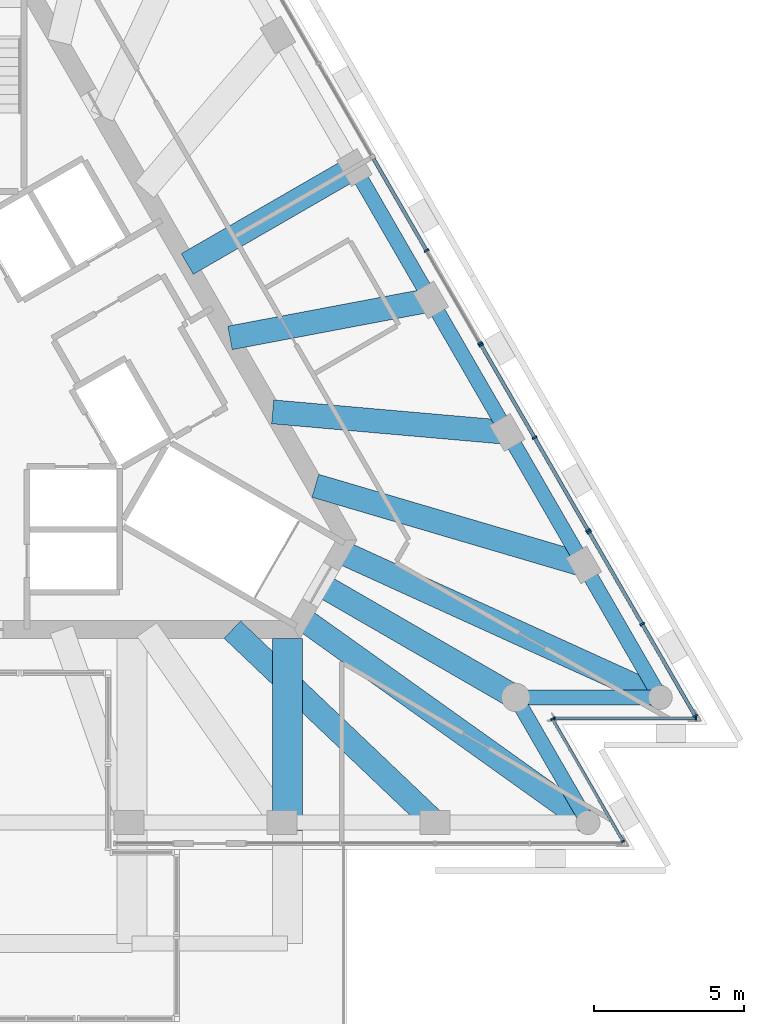
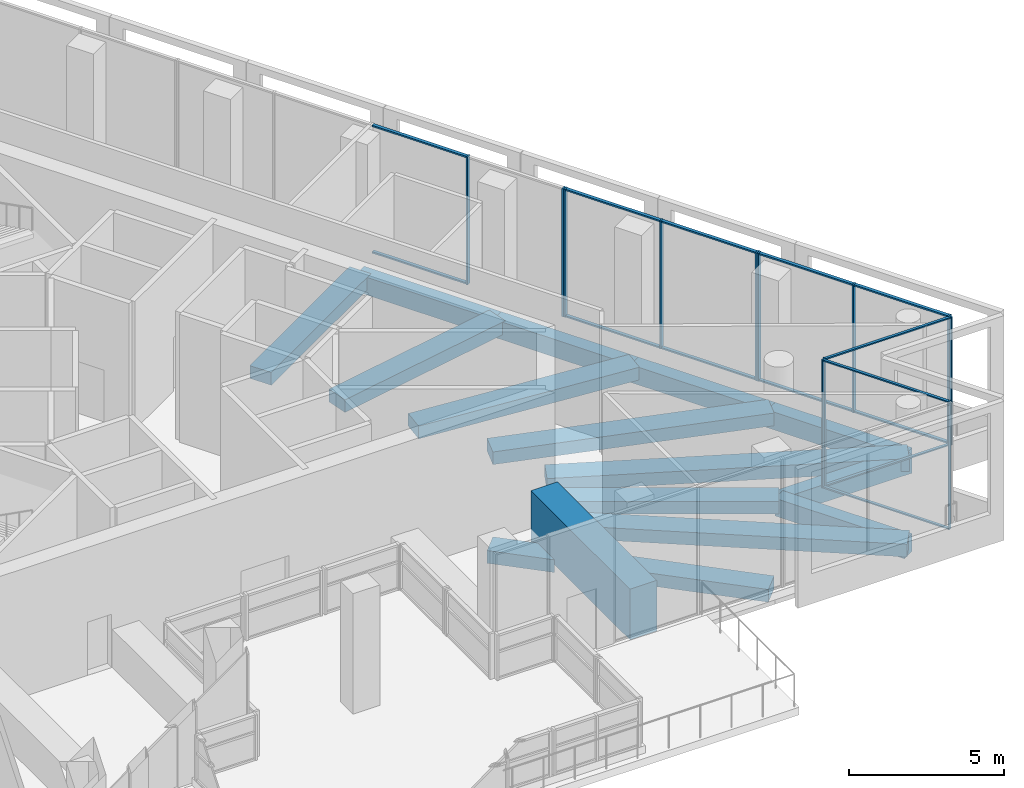
# One storey, part 7 of 17: 26 members, 16 beams, 5 elements without a shape of their own.
"""IFC4 building model written with IfcOpenShell, lengths in metres."""

from ifc_helpers import new_model, si_unit, direction, frame, origin, origin_2d, place, context, subcontext, project, spatial, rectangle, extrude, clip, halfspace, material, layer, layer_set, material_profile, profile_set, type_object, element, aggregate, save


model = new_model("IFC4")

# Units and contexts
model_context = context("Model", 3, precision=1e-05, world=origin(), true_north=direction((0.0, 1.0)))
body_context = subcontext(model_context, "Body", "Model", "MODEL_VIEW")
ifc_project = project(units=[si_unit("LENGTHUNIT", "METRE"), si_unit("AREAUNIT", "SQUARE_METRE"), si_unit("VOLUMEUNIT", "CUBIC_METRE"), si_unit("PLANEANGLEUNIT", "RADIAN"), si_unit("MASSUNIT", "GRAM", prefix="KILO")], contexts=[model_context])

# Site, building, storey
site_placement = place(None, origin())
site = spatial("IfcSite", under=ifc_project, at=site_placement, CompositionType="ELEMENT")
building_placement = place(site_placement, origin())
building = spatial("IfcBuilding", under=site, at=building_placement, Name="Triada Interchange Tower", CompositionType="ELEMENT")
storey_placement = place(building_placement, frame((0.0, 0.0, 322.300048828125)))
storey = spatial("IfcBuildingStorey", under=building, at=storey_placement, Name="L77", CompositionType="ELEMENT", Elevation=322.300048828125)

# Curtain wall, members
ifc_material_1 = material(Name="Aluminium framed glazing", Category="aluminium")
ifc_layer_1 = layer(ifc_material_1, 0.199951171875)
ifc_layer_set_1 = layer_set([ifc_layer_1], Name="Curtain wall Sky lobby glazing")
curtain_wall_type_1 = type_object("IfcCurtainWallType", Name="Curtain wall Sky lobby glazing", PredefinedType="NOTDEFINED", material=ifc_layer_set_1)
curtain_wall_1_placement = place(storey_placement, origin())
curtain_wall_1 = element("IfcCurtainWall", 1, at=curtain_wall_1_placement, inside=storey, type_object=curtain_wall_type_1, Name="Sky lobby glazing CW317 L77", PredefinedType="NOTDEFINED")
ifc_material_2 = material(Name="Aluminium", Category="aluminium")
ifc_material_profile_1 = material_profile(ifc_material_2, rectangle(XDim=0.159912109375, YDim=0.06005859375, at=origin_2d()), Name="Aluminium mullion")
ifc_profile_set_1 = profile_set([ifc_material_profile_1], Name="Aluminium")
member_type_1 = type_object("IfcMemberType", Name="Mullion Sky lobby glazing 160x60", PredefinedType="MULLION", material=ifc_profile_set_1)
member_1_placement = place(storey_placement, frame((24.0400390625, -11.037109375, 0.0), z_axis=(0.0, 0.0, 1.0), x_axis=(-0.866025060103, -0.500000595274, 0.0)))
member_1 = element("IfcMember", 2, at=member_1_placement, type_object=member_type_1, Name="CW317 mullion 1", PredefinedType="MULLION", context=body_context, shape_type="SweptSolid", body=[
    extrude(rectangle(XDim=0.159912109375, YDim=0.06005859375, at=origin_2d()), origin(), (0.0, 0.0, 1.0), 5.050048828125),
])
member_2_placement = place(storey_placement, frame((22.265380859375, -7.96337890625, 0.0), z_axis=(0.0, 0.0, 1.0), x_axis=(-0.866025060103, -0.500000595274, 0.0)))
member_2 = element("IfcMember", 3, at=member_2_placement, type_object=member_type_1, Name="CW317 mullion 2", PredefinedType="MULLION", context=body_context, shape_type="SweptSolid", body=[
    extrude(rectangle(XDim=0.159912109375, YDim=0.06005859375, at=origin_2d()), origin(), (0.0, 0.0, 1.0), 5.050048828125),
])
member_3_placement = place(storey_placement, frame((20.490966796875, -4.889892578125, 0.0), z_axis=(0.0, 0.0, 1.0), x_axis=(-0.866025060103, -0.500000595274, 0.0)))
member_3 = element("IfcMember", 4, at=member_3_placement, type_object=member_type_1, Name="CW317 mullion 3", PredefinedType="MULLION", context=body_context, shape_type="SweptSolid", body=[
    extrude(rectangle(XDim=0.159912109375, YDim=0.06005859375, at=origin_2d()), origin(), (0.0, 0.0, 1.0), 5.050048828125),
])

curtain_wall_2_placement = place(storey_placement, origin())
curtain_wall_2 = element("IfcCurtainWall", 5, at=curtain_wall_2_placement, inside=storey, type_object=curtain_wall_type_1, Name="Sky lobby glazing CW318 L77", PredefinedType="NOTDEFINED")
member_4_placement = place(storey_placement, frame((20.4560546875, -4.830078125, 0.0), z_axis=(0.0, 0.0, 1.0), x_axis=(-0.866067851015, -0.499926472032, 0.0)))
member_4 = element("IfcMember", 6, at=member_4_placement, type_object=member_type_1, Name="CW318 mullion 1", PredefinedType="MULLION", context=body_context, shape_type="SweptSolid", body=[
    extrude(rectangle(XDim=0.159912109375, YDim=0.06005859375, at=origin_2d()), origin(), (0.0, 0.0, 1.0), 5.050048828125),
])
member_5_placement = place(storey_placement, frame((18.66796875, -1.732421875, 0.0), z_axis=(0.0, 0.0, 1.0), x_axis=(-0.866067851015, -0.499926472032, 0.0)))
member_5 = element("IfcMember", 7, at=member_5_placement, type_object=member_type_1, Name="CW318 mullion 2", PredefinedType="MULLION", context=body_context, shape_type="SweptSolid", body=[
    extrude(rectangle(XDim=0.159912109375, YDim=0.06005859375, at=origin_2d()), origin(), (0.0, 0.0, 1.0), 5.050048828125),
])
member_6_placement = place(storey_placement, frame((16.8798828125, 1.364990234375, 0.0), z_axis=(0.0, 0.0, 1.0), x_axis=(-0.866067851015, -0.499926472032, 0.0)))
member_6 = element("IfcMember", 8, at=member_6_placement, type_object=member_type_1, Name="CW318 mullion 3", PredefinedType="MULLION", context=body_context, shape_type="SweptSolid", body=[
    extrude(rectangle(XDim=0.159912109375, YDim=0.06005859375, at=origin_2d()), origin(), (0.0, 0.0, 1.0), 5.050048828125),
])

curtain_wall_3_placement = place(storey_placement, origin())
curtain_wall_3 = element("IfcCurtainWall", 9, at=curtain_wall_3_placement, inside=storey, type_object=curtain_wall_type_1, Name="Sky lobby glazing CW319 L77", PredefinedType="NOTDEFINED")
member_7_placement = place(storey_placement, frame((16.844970703125, 1.425048828125, 0.0), z_axis=(0.0, 0.0, 1.0), x_axis=(-0.866007823062, -0.500030449467, 0.0)))
member_7 = element("IfcMember", 10, at=member_7_placement, type_object=member_type_1, Name="CW319 mullion 1", PredefinedType="MULLION", context=body_context, shape_type="SweptSolid", body=[
    extrude(rectangle(XDim=0.159912109375, YDim=0.06005859375, at=origin_2d()), origin(), (0.0, 0.0, 1.0), 5.050048828125),
])
member_8_placement = place(storey_placement, frame((15.056396484375, 4.5224609375, 0.0), z_axis=(0.0, 0.0, 1.0), x_axis=(-0.866007823062, -0.500030449467, 0.0)))
member_8 = element("IfcMember", 11, at=member_8_placement, type_object=member_type_1, Name="CW319 mullion 2", PredefinedType="MULLION", context=body_context, shape_type="SweptSolid", body=[
    extrude(rectangle(XDim=0.159912109375, YDim=0.06005859375, at=origin_2d()), origin(), (0.0, 0.0, 1.0), 5.050048828125),
])

ifc_layer_2 = layer(ifc_material_1, 0.199951171875)
ifc_layer_set_2 = layer_set([ifc_layer_2], Name="Curtain wall Winter garden glazing")
curtain_wall_type_2 = type_object("IfcCurtainWallType", Name="Curtain wall Winter garden glazing", PredefinedType="NOTDEFINED", material=ifc_layer_set_2)
curtain_wall_4_placement = place(storey_placement, origin())
curtain_wall_4 = element("IfcCurtainWall", 12, at=curtain_wall_4_placement, inside=storey, type_object=curtain_wall_type_2, Name="Winter garden glazing CW315 L77", PredefinedType="NOTDEFINED")
ifc_material_profile_2 = material_profile(ifc_material_2, rectangle(XDim=0.1201171875, YDim=0.050048828125, at=origin_2d()), Name="Aluminium mullion")
ifc_profile_set_2 = profile_set([ifc_material_profile_2], Name="Aluminium")
member_type_2 = type_object("IfcMemberType", Name="Mullion Winter garden glazing 120x50", PredefinedType="MULLION", material=ifc_profile_set_2)
member_9_placement = place(storey_placement, frame((21.62548828125, -15.226318359375, 0.0), z_axis=(0.0, 0.0, 1.0), x_axis=(-0.866042521562, -0.499970349967, 0.0)))
member_9 = element("IfcMember", 13, at=member_9_placement, type_object=member_type_2, Name="CW315 mullion 1", PredefinedType="MULLION", context=body_context, shape_type="SweptSolid", body=[
    extrude(rectangle(XDim=0.1201171875, YDim=0.050048828125, at=origin_2d()), origin(), (0.0, 0.0, 1.0), 5.050048828125),
])
member_10_placement = place(storey_placement, frame((19.264404296875, -11.13671875, 0.0), z_axis=(0.0, 0.0, 1.0), x_axis=(-0.866042521562, -0.499970349967, 0.0)))
member_10 = element("IfcMember", 14, at=member_10_placement, type_object=member_type_2, Name="CW315 mullion 2", PredefinedType="MULLION", context=body_context, shape_type="SweptSolid", body=[
    extrude(rectangle(XDim=0.1201171875, YDim=0.050048828125, at=origin_2d()), origin(), (0.0, 0.0, 1.0), 5.050048828125),
])

curtain_wall_5_placement = place(storey_placement, origin())
curtain_wall_5 = element("IfcCurtainWall", 15, at=curtain_wall_5_placement, inside=storey, type_object=curtain_wall_type_2, Name="Winter garden glazing CW316 L77", PredefinedType="NOTDEFINED")
member_11_placement = place(storey_placement, frame((19.3369140625, -11.114990234375, 0.0), z_axis=(0.0, 0.0, 1.0), x_axis=(0.0, 1.0, 0.0)))
member_11 = element("IfcMember", 16, at=member_11_placement, type_object=member_type_2, Name="CW316 mullion 1", PredefinedType="MULLION", context=body_context, shape_type="SweptSolid", body=[
    extrude(rectangle(XDim=0.1201171875, YDim=0.050048828125, at=origin_2d()), origin(), (0.0, 0.0, 1.0), 5.050048828125),
])
member_12_placement = place(storey_placement, frame((24.06005859375, -11.114990234375, 0.0), z_axis=(0.0, 0.0, 1.0), x_axis=(0.0, 1.0, 0.0)))
member_12 = element("IfcMember", 17, at=member_12_placement, type_object=member_type_2, Name="CW316 mullion 2", PredefinedType="MULLION", context=body_context, shape_type="SweptSolid", body=[
    extrude(rectangle(XDim=0.1201171875, YDim=0.050048828125, at=origin_2d()), origin(), (0.0, 0.0, 1.0), 5.050048828125),
])

# Beams
ifc_material_3 = material(Name="Concrete C50/60", Category="concrete")
ifc_material_profile_3 = material_profile(ifc_material_3, rectangle(XDim=1.0, YDim=2.0, at=origin_2d()), Name="RC 1000x2000")
ifc_profile_set_3 = profile_set([ifc_material_profile_3], Name="Concrete C50/60")
beam_type_1 = type_object("IfcBeamType", Name="Pool back-span girder RC 1000x2000", PredefinedType="BEAM", material=ifc_profile_set_3)
beam_1_placement = place(storey_placement, frame((10.4140625, -8.449951171875, 0.5), z_axis=(0.0, -1.0, 0.0), x_axis=(1.0, 0.0, 0.0)))
element("IfcBeam", 18, at=beam_1_placement, inside=storey, type_object=beam_type_1, Name="Pool back-span girder 4", PredefinedType="BEAM", context=body_context, shape_type="SweptSolid", body=[
    extrude(rectangle(XDim=1.0, YDim=2.0, at=origin_2d()), origin(), (0.0, 0.0, 1.0), 6.4130859375),
])
ifc_material_profile_4 = material_profile(ifc_material_3, rectangle(XDim=0.800048828125, YDim=0.5, at=origin_2d()), Name="RC 800x500")
ifc_profile_set_4 = profile_set([ifc_material_profile_4], Name="Concrete C50/60")
beam_type_2 = type_object("IfcBeamType", Name="Radial band beam D RC 800x500", PredefinedType="BEAM", material=ifc_profile_set_4)
beam_2_placement = place(storey_placement, frame((15.341064453125, -14.60009765625, -0.550048828125), z_axis=(-0.72436975157, 0.689411678905, 0.0), x_axis=(-0.689411678905, -0.72436975157, 0.0)))
element("IfcBeam", 19, at=beam_2_placement, inside=storey, type_object=beam_type_2, Name="Radial band beam BD18A L77", PredefinedType="BEAM", context=body_context, shape_type="Clipping", body=[
    clip(extrude(rectangle(XDim=0.800048828125, YDim=0.5, at=origin_2d()), origin(), (0.0, 0.0, 1.0), 7.6123046875), halfspace(frame((3.242431640625, -321.75, 3.025634765625), z_axis=(0.689411678905, 0.0, 0.72436975157), x_axis=(0.0, -1.0, 0.0)), False)),
])
beam_3_placement = place(storey_placement, frame((11.0009765625, -10.468994140625, -0.550048828125), z_axis=(-0.724415734918, 0.689363360648, 0.0), x_axis=(-0.689363360648, -0.724415734918, 0.0)))
element("IfcBeam", 20, at=beam_3_placement, inside=storey, type_object=beam_type_2, Name="Radial band beam BD18B L77", PredefinedType="BEAM", context=body_context, shape_type="Clipping", body=[
    clip(extrude(rectangle(XDim=0.800048828125, YDim=0.5, at=origin_2d()), origin(), (0.0, 0.0, 1.0), 3.364013671875), halfspace(frame((-0.71337890625, -321.75, 2.17919921875), z_axis=(-0.689363360648, 0.0, -0.724415734918), x_axis=(0.0, 1.0, 0.0)), False)),
])
beam_4_placement = place(storey_placement, frame((20.455078125, -14.60009765625, -0.550048828125), z_axis=(-0.813936662857, 0.580953620229, 0.0), x_axis=(-0.580953620229, -0.813936662857, 0.0)))
element("IfcBeam", 21, at=beam_4_placement, inside=storey, type_object=beam_type_2, Name="Radial band beam BD19 L77", PredefinedType="BEAM", context=body_context, shape_type="SweptSolid", body=[
    extrude(rectangle(XDim=0.800048828125, YDim=0.5, at=origin_2d()), origin(), (0.0, 0.0, 1.0), 11.768798828125),
])
beam_5_placement = place(storey_placement, frame((18.0390625, -10.4150390625, -0.550048828125), z_axis=(-0.866011724671, 0.500023692171, 0.0), x_axis=(-0.500023692171, -0.866011724671, 0.0)))
element("IfcBeam", 22, at=beam_5_placement, inside=storey, type_object=beam_type_2, Name="Radial band beam BD20 L77", PredefinedType="BEAM", context=body_context, shape_type="SweptSolid", body=[
    extrude(rectangle(XDim=0.800048828125, YDim=0.5, at=origin_2d()), origin(), (0.0, 0.0, 1.0), 7.530029296875),
])
beam_6_placement = place(storey_placement, frame((22.8720703125, -10.4150390625, -0.550048828125), z_axis=(-0.910085686319, 0.414420129285, 0.0), x_axis=(-0.414420129285, -0.910085686319, 0.0)))
element("IfcBeam", 23, at=beam_6_placement, inside=storey, type_object=beam_type_2, Name="Radial band beam BD21 L77", PredefinedType="BEAM", context=body_context, shape_type="SweptSolid", body=[
    extrude(rectangle(XDim=0.800048828125, YDim=0.5, at=origin_2d()), origin(), (0.0, 0.0, 1.0), 11.7705078125),
])
beam_7_placement = place(storey_placement, frame((20.31494140625, -5.986083984375, -0.550048828125), z_axis=(-0.959210376833, 0.282693213531, 0.0), x_axis=(-0.282693213531, -0.959210376833, 0.0)))
element("IfcBeam", 24, at=beam_7_placement, inside=storey, type_object=beam_type_2, Name="Radial band beam BD22 L77", PredefinedType="BEAM", context=body_context, shape_type="SweptSolid", body=[
    extrude(rectangle(XDim=0.800048828125, YDim=0.5, at=origin_2d()), origin(), (0.0, 0.0, 1.0), 9.3564453125),
])
beam_8_placement = place(storey_placement, frame((17.758056640625, -1.556884765625, -0.550048828125), z_axis=(-0.996177516465, 0.087351907191, 0.0), x_axis=(-0.087351907191, -0.996177516465, 0.0)))
element("IfcBeam", 25, at=beam_8_placement, inside=storey, type_object=beam_type_2, Name="Radial band beam BD23 L77", PredefinedType="BEAM", context=body_context, shape_type="SweptSolid", body=[
    extrude(rectangle(XDim=0.800048828125, YDim=0.5, at=origin_2d()), origin(), (0.0, 0.0, 1.0), 7.8759765625),
])
beam_9_placement = place(storey_placement, frame((15.200927734375, 2.87109375, -0.550048828125), z_axis=(-0.982636839815, -0.185539324778, 0.0), x_axis=(0.185539324778, -0.982636839815, 0.0)))
element("IfcBeam", 26, at=beam_9_placement, inside=storey, type_object=beam_type_2, Name="Radial band beam BD24 L77", PredefinedType="BEAM", context=body_context, shape_type="SweptSolid", body=[
    extrude(rectangle(XDim=0.800048828125, YDim=0.5, at=origin_2d()), origin(), (0.0, 0.0, 1.0), 6.83447265625),
])
beam_10_placement = place(storey_placement, frame((12.64404296875, 7.300048828125, -0.550048828125), z_axis=(-0.866021702275, -0.500006411147, 0.0), x_axis=(0.500006411147, -0.866021702275, 0.0)))
element("IfcBeam", 27, at=beam_10_placement, inside=storey, type_object=beam_type_2, Name="Radial band beam BD25 L77", PredefinedType="BEAM", context=body_context, shape_type="SweptSolid", body=[
    extrude(rectangle(XDim=0.800048828125, YDim=0.5, at=origin_2d()), origin(), (0.0, 0.0, 1.0), 6.4501953125),
])
ifc_material_profile_5 = material_profile(ifc_material_3, rectangle(XDim=0.5, YDim=0.699951171875, at=origin_2d()), Name="RC 500x700")
ifc_profile_set_5 = profile_set([ifc_material_profile_5], Name="Concrete C50/60")
beam_type_3 = type_object("IfcBeamType", Name="Spandrel beam D RC 500x700", PredefinedType="BEAM", material=ifc_profile_set_5)
beam_11_placement = place(storey_placement, frame((20.455078125, -14.60009765625, -0.650146484375), z_axis=(-0.499964445527, 0.866045930196, 0.0), x_axis=(-0.866045930196, -0.499964445527, 0.0)))
element("IfcBeam", 28, at=beam_11_placement, inside=storey, type_object=beam_type_3, Name="Spandrel beam ED19 L77", PredefinedType="BEAM", context=body_context, shape_type="SweptSolid", body=[
    extrude(rectangle(XDim=0.5, YDim=0.699951171875, at=origin_2d()), origin(), (0.0, 0.0, 1.0), 4.832275390625),
])
beam_12_placement = place(storey_placement, frame((18.0390625, -10.4150390625, -0.650146484375), z_axis=(1.0, 0.0, 0.0), x_axis=(0.0, 1.0, 0.0)))
element("IfcBeam", 29, at=beam_12_placement, inside=storey, type_object=beam_type_3, Name="Spandrel beam ED20 L77", PredefinedType="BEAM", context=body_context, shape_type="SweptSolid", body=[
    extrude(rectangle(XDim=0.5, YDim=0.699951171875, at=origin_2d()), origin(), (0.0, 0.0, 1.0), 4.8330078125),
])
for number, where, z_axis, x_axis, name in (
    (30, (22.8720703125, -10.4150390625, -0.650146484375), (-0.500010338873, 0.866019434551, 0.0), (-0.866019434551, -0.500010338873, 0.0), "Spandrel beam ED21 L77"),
    (31, (20.31494140625, -5.986083984375, -0.650146484375), (-0.499953864059, 0.866052038744, 0.0), (-0.866052038744, -0.499953864059, 0.0), "Spandrel beam ED22 L77"),
):
    element("IfcBeam", number, at=place(storey_placement, frame(where, z_axis=z_axis, x_axis=x_axis)), inside=storey, type_object=beam_type_3, Name=name, PredefinedType="BEAM", context=body_context, shape_type="SweptSolid", body=[
        extrude(rectangle(XDim=0.5, YDim=0.699951171875, at=origin_2d()), origin(), (0.0, 0.0, 1.0), 5.1142578125),
    ])
beam_13_placement = place(storey_placement, frame((17.758056640625, -1.556884765625, -0.650146484375), z_axis=(-0.500093036468, 0.865971682491, 0.0), x_axis=(-0.865971682491, -0.500093036468, 0.0)))
element("IfcBeam", 32, at=beam_13_placement, inside=storey, type_object=beam_type_3, Name="Spandrel beam ED23 L77", PredefinedType="BEAM", context=body_context, shape_type="SweptSolid", body=[
    extrude(rectangle(XDim=0.5, YDim=0.699951171875, at=origin_2d()), origin(), (0.0, 0.0, 1.0), 5.11328125),
])
beam_14_placement = place(storey_placement, frame((15.200927734375, 2.87109375, -0.650146484375), z_axis=(-0.499974534403, 0.866040105854, 0.0), x_axis=(-0.866040105854, -0.499974534403, 0.0)))
element("IfcBeam", 33, at=beam_14_placement, inside=storey, type_object=beam_type_3, Name="Spandrel beam ED24 L77", PredefinedType="BEAM", context=body_context, shape_type="SweptSolid", body=[
    extrude(rectangle(XDim=0.5, YDim=0.699951171875, at=origin_2d()), origin(), (0.0, 0.0, 1.0), 5.114013671875),
])

# Member
ifc_material_profile_6 = material_profile(ifc_material_2, rectangle(XDim=0.1201171875, YDim=0.06005859375, at=origin_2d()), Name="Aluminium transom")
ifc_profile_set_6 = profile_set([ifc_material_profile_6], Name="Aluminium")
member_type_3 = type_object("IfcMemberType", Name="Transom Sky lobby glazing 120x60", PredefinedType="USERDEFINED", material=ifc_profile_set_6)
member_13_placement = place(storey_placement, frame((24.02490234375, -11.010986328125, 0.030029296875), z_axis=(-0.499984940993, 0.866034097932, 0.0), x_axis=(-0.866034097932, -0.499984940993, 0.0)))
member_13 = element("IfcMember", 34, at=member_13_placement, type_object=member_type_3, Name="CW317 transom 1.1", ObjectType="TRANSOM", PredefinedType="USERDEFINED", context=body_context, shape_type="SweptSolid", body=[
    extrude(rectangle(XDim=0.1201171875, YDim=0.06005859375, at=origin_2d()), origin(), (0.0, 0.0, 1.0), 3.48876953125),
])

member_14_placement = place(storey_placement, frame((24.02490234375, -11.010986328125, 5.02001953125), z_axis=(-0.499984940993, 0.866034097932, 0.0), x_axis=(-0.866034097932, -0.499984940993, 0.0)))
member_14 = element("IfcMember", 35, at=member_14_placement, type_object=member_type_3, Name="CW317 transom 1.2", ObjectType="TRANSOM", PredefinedType="USERDEFINED", context=body_context, shape_type="SweptSolid", body=[
    extrude(rectangle(XDim=0.1201171875, YDim=0.06005859375, at=origin_2d()), origin(), (0.0, 0.0, 1.0), 3.48876953125),
])

member_15_placement = place(storey_placement, frame((22.25048828125, -7.9375, 0.030029296875), z_axis=(-0.499984940993, 0.866034097932, 0.0), x_axis=(-0.866034097932, -0.499984940993, 0.0)))
member_15 = element("IfcMember", 36, at=member_15_placement, type_object=member_type_3, Name="CW317 transom 2.1", ObjectType="TRANSOM", PredefinedType="USERDEFINED", context=body_context, shape_type="SweptSolid", body=[
    extrude(rectangle(XDim=0.1201171875, YDim=0.06005859375, at=origin_2d()), origin(), (0.0, 0.0, 1.0), 3.48876953125),
])

member_16_placement = place(storey_placement, frame((22.25048828125, -7.9375, 5.02001953125), z_axis=(-0.499984940993, 0.866034097932, 0.0), x_axis=(-0.866034097932, -0.499984940993, 0.0)))
member_16 = element("IfcMember", 37, at=member_16_placement, type_object=member_type_3, Name="CW317 transom 2.2", ObjectType="TRANSOM", PredefinedType="USERDEFINED", context=body_context, shape_type="SweptSolid", body=[
    extrude(rectangle(XDim=0.1201171875, YDim=0.06005859375, at=origin_2d()), origin(), (0.0, 0.0, 1.0), 3.48876953125),
])

aggregate(curtain_wall_1, [member_1, member_2, member_3, member_13, member_14, member_15, member_16])

member_17_placement = place(storey_placement, frame((20.44091796875, -4.803955078125, 0.030029296875), z_axis=(-0.499902762748, 0.86608153646, 0.0), x_axis=(-0.86608153646, -0.499902762748, 0.0)))
member_17 = element("IfcMember", 38, at=member_17_placement, type_object=member_type_3, Name="CW318 transom 1.1", ObjectType="TRANSOM", PredefinedType="USERDEFINED", context=body_context, shape_type="SweptSolid", body=[
    extrude(rectangle(XDim=0.1201171875, YDim=0.06005859375, at=origin_2d()), origin(), (0.0, 0.0, 1.0), 3.516357421875),
])

member_18_placement = place(storey_placement, frame((20.44091796875, -4.803955078125, 5.02001953125), z_axis=(-0.499902762748, 0.86608153646, 0.0), x_axis=(-0.86608153646, -0.499902762748, 0.0)))
member_18 = element("IfcMember", 39, at=member_18_placement, type_object=member_type_3, Name="CW318 transom 1.2", ObjectType="TRANSOM", PredefinedType="USERDEFINED", context=body_context, shape_type="SweptSolid", body=[
    extrude(rectangle(XDim=0.1201171875, YDim=0.06005859375, at=origin_2d()), origin(), (0.0, 0.0, 1.0), 3.516357421875),
])

member_19_placement = place(storey_placement, frame((18.653076171875, -1.70654296875, 0.030029296875), z_axis=(-0.499924779873, 0.86606882779, 0.0), x_axis=(-0.86606882779, -0.499924779873, 0.0)))
member_19 = element("IfcMember", 40, at=member_19_placement, type_object=member_type_3, Name="CW318 transom 2.1", ObjectType="TRANSOM", PredefinedType="USERDEFINED", context=body_context, shape_type="SweptSolid", body=[
    extrude(rectangle(XDim=0.1201171875, YDim=0.06005859375, at=origin_2d()), origin(), (0.0, 0.0, 1.0), 3.5166015625),
])

member_20_placement = place(storey_placement, frame((18.653076171875, -1.70654296875, 5.02001953125), z_axis=(-0.499924779873, 0.86606882779, 0.0), x_axis=(-0.86606882779, -0.499924779873, 0.0)))
member_20 = element("IfcMember", 41, at=member_20_placement, type_object=member_type_3, Name="CW318 transom 2.2", ObjectType="TRANSOM", PredefinedType="USERDEFINED", context=body_context, shape_type="SweptSolid", body=[
    extrude(rectangle(XDim=0.1201171875, YDim=0.06005859375, at=origin_2d()), origin(), (0.0, 0.0, 1.0), 3.5166015625),
])

aggregate(curtain_wall_2, [member_4, member_5, member_6, member_17, member_18, member_19, member_20])

member_21_placement = place(storey_placement, frame((15.04150390625, 4.548583984375, 0.030029296875), z_axis=(-0.500058978211, 0.865991350021, 0.0), x_axis=(-0.865991350021, -0.500058978211, 0.0)))
member_21 = element("IfcMember", 42, at=member_21_placement, type_object=member_type_3, Name="CW319 transom 2.1", ObjectType="TRANSOM", PredefinedType="USERDEFINED", context=body_context, shape_type="SweptSolid", body=[
    extrude(rectangle(XDim=0.1201171875, YDim=0.06005859375, at=origin_2d()), origin(), (0.0, 0.0, 1.0), 3.5166015625),
])

member_22_placement = place(storey_placement, frame((15.04150390625, 4.548583984375, 5.02001953125), z_axis=(-0.500058978211, 0.865991350021, 0.0), x_axis=(-0.865991350021, -0.500058978211, 0.0)))
member_22 = element("IfcMember", 43, at=member_22_placement, type_object=member_type_3, Name="CW319 transom 2.2", ObjectType="TRANSOM", PredefinedType="USERDEFINED", context=body_context, shape_type="SweptSolid", body=[
    extrude(rectangle(XDim=0.1201171875, YDim=0.06005859375, at=origin_2d()), origin(), (0.0, 0.0, 1.0), 3.5166015625),
])

aggregate(curtain_wall_3, [member_7, member_8, member_21, member_22])

ifc_material_profile_7 = material_profile(ifc_material_2, rectangle(XDim=0.10009765625, YDim=0.050048828125, at=origin_2d()), Name="Aluminium transom")
ifc_profile_set_7 = profile_set([ifc_material_profile_7], Name="Aluminium")
member_type_4 = type_object("IfcMemberType", Name="Transom Winter garden glazing 100x50", PredefinedType="USERDEFINED", material=ifc_profile_set_7)
member_23_placement = place(storey_placement, frame((21.613037109375, -15.20458984375, 0.02490234375), z_axis=(-0.499960677684, 0.866048105344, 0.0), x_axis=(-0.866048105344, -0.499960677684, 0.0)))
member_23 = element("IfcMember", 44, at=member_23_placement, type_object=member_type_4, Name="CW315 transom 1.1", ObjectType="TRANSOM", PredefinedType="USERDEFINED", context=body_context, shape_type="SweptSolid", body=[
    extrude(rectangle(XDim=0.10009765625, YDim=0.050048828125, at=origin_2d()), origin(), (0.0, 0.0, 1.0), 4.67236328125),
])

member_24_placement = place(storey_placement, frame((21.613037109375, -15.20458984375, 5.02490234375), z_axis=(-0.499960677684, 0.866048105344, 0.0), x_axis=(-0.866048105344, -0.499960677684, 0.0)))
member_24 = element("IfcMember", 45, at=member_24_placement, type_object=member_type_4, Name="CW315 transom 1.2", ObjectType="TRANSOM", PredefinedType="USERDEFINED", context=body_context, shape_type="SweptSolid", body=[
    extrude(rectangle(XDim=0.10009765625, YDim=0.050048828125, at=origin_2d()), origin(), (0.0, 0.0, 1.0), 4.67236328125),
])

aggregate(curtain_wall_4, [member_9, member_10, member_23, member_24])

member_25_placement = place(storey_placement, frame((19.362060546875, -11.114990234375, 0.02490234375), z_axis=(1.0, 0.0, 0.0), x_axis=(0.0, 1.0, 0.0)))
member_25 = element("IfcMember", 46, at=member_25_placement, type_object=member_type_4, Name="CW316 transom 1.1", ObjectType="TRANSOM", PredefinedType="USERDEFINED", context=body_context, shape_type="SweptSolid", body=[
    extrude(rectangle(XDim=0.10009765625, YDim=0.050048828125, at=origin_2d()), origin(), (0.0, 0.0, 1.0), 4.6728515625),
])

member_26_placement = place(storey_placement, frame((19.362060546875, -11.114990234375, 5.02490234375), z_axis=(1.0, 0.0, 0.0), x_axis=(0.0, 1.0, 0.0)))
member_26 = element("IfcMember", 47, at=member_26_placement, type_object=member_type_4, Name="CW316 transom 1.2", ObjectType="TRANSOM", PredefinedType="USERDEFINED", context=body_context, shape_type="SweptSolid", body=[
    extrude(rectangle(XDim=0.10009765625, YDim=0.050048828125, at=origin_2d()), origin(), (0.0, 0.0, 1.0), 4.6728515625),
])

aggregate(curtain_wall_5, [member_11, member_12, member_25, member_26])

save(model, "model.ifc")
